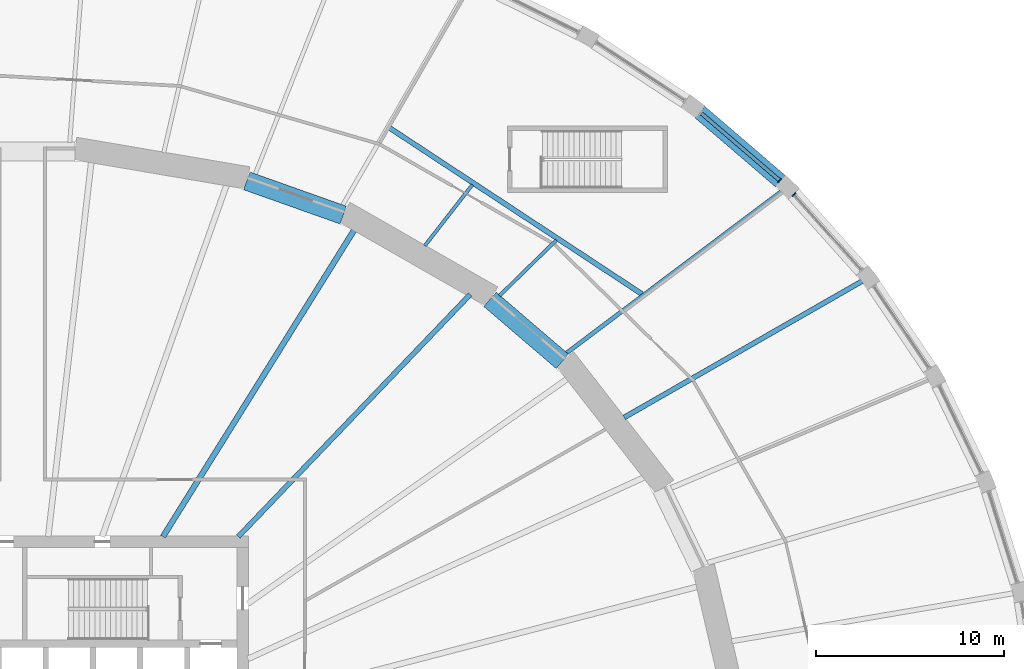
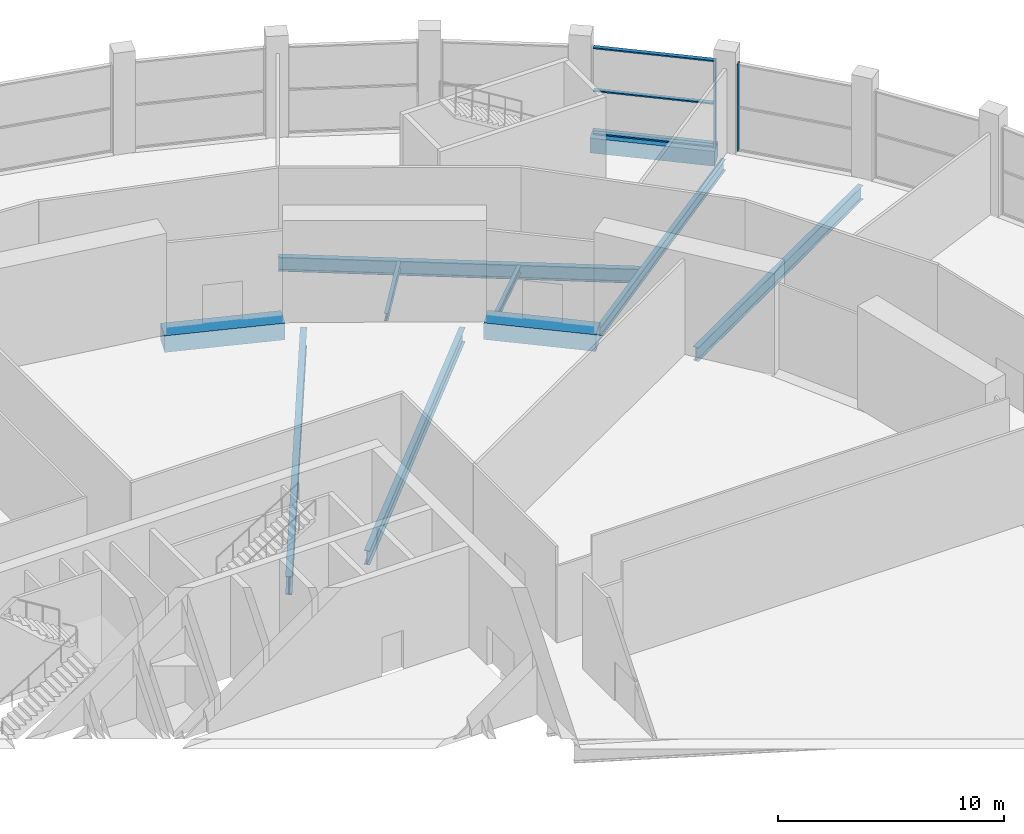
# One storey, part 15 of 29: 10 beams, 5 members, 2 elements without a shape of their own.
"""IFC4 building model written with IfcOpenShell, lengths in metres."""

from ifc_helpers import new_model, si_unit, direction, frame, origin, origin_2d, place, context, subcontext, project, spatial, rectangle, i_section, extrude, material, material_profile, profile_set, type_object, element, aggregate, save


model = new_model("IFC4")

# Units and contexts
model_context = context("Model", 3, precision=1e-05, world=origin(), true_north=direction((0.0, 1.0)))
body_context = subcontext(model_context, "Body", "Model", "MODEL_VIEW")
ifc_project = project(units=[si_unit("LENGTHUNIT", "METRE"), si_unit("AREAUNIT", "SQUARE_METRE"), si_unit("VOLUMEUNIT", "CUBIC_METRE"), si_unit("PLANEANGLEUNIT", "RADIAN"), si_unit("MASSUNIT", "GRAM", prefix="KILO")], contexts=[model_context])

# Site, building, storey
site_placement = place(None, origin())
site = spatial("IfcSite", under=ifc_project, at=site_placement, CompositionType="ELEMENT")
building_placement = place(site_placement, origin())
building = spatial("IfcBuilding", under=site, at=building_placement, Name="Halqa Exchange Tower", CompositionType="ELEMENT")
storey_placement = place(building_placement, frame((0.0, 0.0, 12.5)))
storey = spatial("IfcBuildingStorey", under=building, at=storey_placement, Name="L02", CompositionType="ELEMENT", Elevation=12.5)

# Curtain wall, member
ifc_material_1 = material(Name="Anodised aluminium and clear glass", Category="aluminium")
curtain_wall_type = type_object("IfcCurtainWallType", Name="Exchange hall glazing", PredefinedType="NOTDEFINED", material=ifc_material_1)
curtain_wall_1_placement = place(storey_placement, origin())
curtain_wall_1 = element("IfcCurtainWall", 1, at=curtain_wall_1_placement, inside=storey, type_object=curtain_wall_type, Name="Exchange hall glazing run P5", PredefinedType="NOTDEFINED")
ifc_material_2 = material(Name="Anodised aluminium", Category="aluminium")
ifc_material_profile_1 = material_profile(ifc_material_2, rectangle(XDim=0.25, YDim=0.070068359375, at=origin_2d()), Name="AL 70x250")
ifc_profile_set_1 = profile_set([ifc_material_profile_1], Name="Anodised aluminium")
member_type_1 = type_object("IfcMemberType", Name="Exchange hall glazing mullion 70 x 250", PredefinedType="MULLION", material=ifc_profile_set_1)
member_1_placement = place(storey_placement, frame((40.9560546875, 30.12890625, 0.0), z_axis=(0.0, 0.0, 1.0), x_axis=(-0.74514769466, -0.666899477539, 0.0)))
member_1 = element("IfcMember", 2, at=member_1_placement, type_object=member_type_1, Name="P5 mullion 2", PredefinedType="MULLION", context=body_context, shape_type="SweptSolid", body=[
    extrude(rectangle(XDim=0.25, YDim=0.070068359375, at=origin_2d()), origin(), (0.0, 0.0, 1.0), 4.699951171875),
])
aggregate(curtain_wall_1, [member_1])

# Curtain wall, members
curtain_wall_2_placement = place(storey_placement, origin())
curtain_wall_2 = element("IfcCurtainWall", 3, at=curtain_wall_2_placement, inside=storey, type_object=curtain_wall_type, Name="Exchange hall glazing run P6", PredefinedType="NOTDEFINED")
member_2_placement = place(storey_placement, frame((40.193115234375, 30.8759765625, 0.0), z_axis=(0.0, 0.0, 1.0), x_axis=(-0.650910929175, -0.759154109704, 0.0)))
member_2 = element("IfcMember", 4, at=member_2_placement, type_object=member_type_1, Name="P6 mullion 1", PredefinedType="MULLION", context=body_context, shape_type="SweptSolid", body=[
    extrude(rectangle(XDim=0.25, YDim=0.070068359375, at=origin_2d()), origin(), (0.0, 0.0, 1.0), 4.699951171875),
])
ifc_material_profile_2 = material_profile(ifc_material_2, rectangle(XDim=0.199951171875, YDim=0.070068359375, at=origin_2d()), Name="AL 70x200")
ifc_profile_set_2 = profile_set([ifc_material_profile_2], Name="Anodised aluminium")
member_type_2 = type_object("IfcMemberType", Name="Exchange hall glazing transom 70 x 200", PredefinedType="USERDEFINED", material=ifc_profile_set_2)
member_3_placement = place(storey_placement, frame((40.16650390625, 30.898681640625, 0.034912109375), z_axis=(-0.759142529619, 0.650924434727, 0.0), x_axis=(-0.650924434727, -0.759142529619, 0.0)))
member_3 = element("IfcMember", 5, at=member_3_placement, type_object=member_type_2, Name="P6 transom 1.1", ObjectType="TRANSOM", PredefinedType="USERDEFINED", context=body_context, shape_type="SweptSolid", body=[
    extrude(rectangle(XDim=0.199951171875, YDim=0.070068359375, at=origin_2d()), origin(), (0.0, 0.0, 1.0), 5.439208984375),
])
member_4_placement = place(storey_placement, frame((40.16650390625, 30.898681640625, 2.35009765625), z_axis=(-0.759142529619, 0.650924434727, 0.0), x_axis=(-0.650924434727, -0.759142529619, 0.0)))
member_4 = element("IfcMember", 6, at=member_4_placement, type_object=member_type_2, Name="P6 transom 1.2", ObjectType="TRANSOM", PredefinedType="USERDEFINED", context=body_context, shape_type="SweptSolid", body=[
    extrude(rectangle(XDim=0.199951171875, YDim=0.070068359375, at=origin_2d()), origin(), (0.0, 0.0, 1.0), 5.439208984375),
])
member_5_placement = place(storey_placement, frame((40.16650390625, 30.898681640625, 4.6650390625), z_axis=(-0.759142529619, 0.650924434727, 0.0), x_axis=(-0.650924434727, -0.759142529619, 0.0)))
member_5 = element("IfcMember", 7, at=member_5_placement, type_object=member_type_2, Name="P6 transom 1.3", ObjectType="TRANSOM", PredefinedType="USERDEFINED", context=body_context, shape_type="SweptSolid", body=[
    extrude(rectangle(XDim=0.199951171875, YDim=0.070068359375, at=origin_2d()), origin(), (0.0, 0.0, 1.0), 5.439208984375),
])
aggregate(curtain_wall_2, [member_2, member_3, member_4, member_5])

# Beams
ifc_material_3 = material(Name="Steel S355", Category="steel")
ifc_material_profile_3 = material_profile(ifc_material_3, i_section(OverallWidth=0.300048828125, OverallDepth=0.989990234375, WebThickness=0.0166015625, FlangeThickness=0.031005859375, FilletRadius=0.030029296875, at=origin_2d()), Name="HEA 1000")
ifc_profile_set_3 = profile_set([ifc_material_profile_3], Name="Steel S355")
beam_type_1 = type_object("IfcBeamType", Name="Floor beam HEA 1000", PredefinedType="BEAM", material=ifc_profile_set_3)
beam_1_placement = place(storey_placement, frame((7.46533203125, 11.971435546875, -0.844970703125), z_axis=(0.529145823441, 0.848530905468, 0.0), x_axis=(-0.848530905468, 0.529145823441, 0.0)))
element("IfcBeam", 8, at=beam_1_placement, inside=storey, type_object=beam_type_1, Name="Radial beam 6", PredefinedType="BEAM", context=body_context, shape_type="SweptSolid", body=[
    extrude(i_section(OverallWidth=0.300048828125, OverallDepth=0.989990234375, WebThickness=0.0166015625, FlangeThickness=0.031005859375, FilletRadius=0.030029296875, at=origin_2d()), origin(), (0.0, 0.0, 1.0), 19.27294921875),
])
ifc_material_profile_4 = material_profile(ifc_material_3, i_section(OverallWidth=0.179931640625, OverallDepth=0.39990234375, WebThickness=0.008544921875, FlangeThickness=0.013427734375, FilletRadius=0.02099609375, at=origin_2d()), Name="IPE 400")
ifc_profile_set_4 = profile_set([ifc_material_profile_4], Name="Steel S355")
beam_type_2 = type_object("IfcBeamType", Name="Floor beam IPE 400", PredefinedType="BEAM", material=ifc_profile_set_4)
beam_2_placement = place(storey_placement, frame((25.322265625, 24.757080078125, -0.550048828125), z_axis=(0.715007310884, 0.699116975464, 0.0), x_axis=(-0.699116975464, 0.715007310884, 0.0)))
element("IfcBeam", 9, at=beam_2_placement, inside=storey, type_object=beam_type_2, Name="Radial beam 7a", PredefinedType="BEAM", context=body_context, shape_type="SweptSolid", body=[
    extrude(i_section(OverallWidth=0.179931640625, OverallDepth=0.39990234375, WebThickness=0.008544921875, FlangeThickness=0.013427734375, FilletRadius=0.02099609375, at=origin_2d()), origin(), (0.0, 0.0, 1.0), 4.22509765625),
])
beam_3_placement = place(storey_placement, frame((21.3603515625, 27.40966796875, -0.550048828125), z_axis=(0.614706293657, 0.788756091919, 0.0), x_axis=(-0.788756091919, 0.614706293657, 0.0)))
element("IfcBeam", 10, at=beam_3_placement, inside=storey, type_object=beam_type_2, Name="Radial beam 8a", PredefinedType="BEAM", context=body_context, shape_type="SweptSolid", body=[
    extrude(i_section(OverallWidth=0.179931640625, OverallDepth=0.39990234375, WebThickness=0.008544921875, FlangeThickness=0.013427734375, FilletRadius=0.02099609375, at=origin_2d()), origin(), (0.0, 0.0, 1.0), 4.104248046875),
])
ifc_material_profile_5 = material_profile(ifc_material_3, i_section(OverallWidth=0.219970703125, OverallDepth=0.60009765625, WebThickness=0.011962890625, FlangeThickness=0.01904296875, FilletRadius=0.02392578125, at=origin_2d()), Name="IPE 600")
ifc_profile_set_5 = profile_set([ifc_material_profile_5], Name="Steel S355")
beam_type_3 = type_object("IfcBeamType", Name="Floor beam IPE 600", PredefinedType="BEAM", material=ifc_profile_set_5)
beam_4_placement = place(storey_placement, frame((28.875732421875, 21.71240234375, -0.64990234375), z_axis=(0.799257291391, 0.600989003359, 0.0), x_axis=(-0.600989003359, 0.799257291391, 0.0)))
element("IfcBeam", 11, at=beam_4_placement, inside=storey, type_object=beam_type_3, Name="Radial beam 6", PredefinedType="BEAM", context=body_context, shape_type="SweptSolid", body=[
    extrude(i_section(OverallWidth=0.219970703125, OverallDepth=0.60009765625, WebThickness=0.011962890625, FlangeThickness=0.01904296875, FilletRadius=0.02392578125, at=origin_2d()), origin(), (0.0, 0.0, 1.0), 14.291259765625),
])
ifc_material_profile_6 = material_profile(ifc_material_3, i_section(OverallWidth=0.264892578125, OverallDepth=0.7529296875, WebThickness=0.01318359375, FlangeThickness=0.01708984375, FilletRadius=0.01708984375, at=origin_2d()), Name="IPE 750x147")
ifc_profile_set_6 = profile_set([ifc_material_profile_6], Name="Steel S355")
beam_type_4 = type_object("IfcBeamType", Name="Floor beam IPE 750x147", PredefinedType="BEAM", material=ifc_profile_set_6)
beam_5_placement = place(storey_placement, frame((31.942626953125, 18.300048828125, -0.7265625), z_axis=(0.867691436398, 0.497103179633, 0.0), x_axis=(-0.497103179633, 0.867691436398, 0.0)))
element("IfcBeam", 12, at=beam_5_placement, inside=storey, type_object=beam_type_4, Name="Radial beam 5", PredefinedType="BEAM", context=body_context, shape_type="SweptSolid", body=[
    extrude(i_section(OverallWidth=0.264892578125, OverallDepth=0.7529296875, WebThickness=0.01318359375, FlangeThickness=0.01708984375, FilletRadius=0.01708984375, at=origin_2d()), origin(), (0.0, 0.0, 1.0), 14.555908203125),
])
ifc_material_profile_7 = material_profile(ifc_material_3, i_section(OverallWidth=0.26806640625, OverallDepth=0.77001953125, WebThickness=0.015625, FlangeThickness=0.025390625, FilletRadius=0.01708984375, at=origin_2d()), Name="IPE 750x196")
ifc_profile_set_7 = profile_set([ifc_material_profile_7], Name="Steel S355")
beam_type_5 = type_object("IfcBeamType", Name="Floor beam IPE 750x196", PredefinedType="BEAM", material=ifc_profile_set_7)
beam_6_placement = place(storey_placement, frame((11.46240234375, 11.9716796875, -0.735107421875), z_axis=(0.6915763718, 0.722303344841, 0.0), x_axis=(-0.722303344841, 0.6915763718, 0.0)))
element("IfcBeam", 13, at=beam_6_placement, inside=storey, type_object=beam_type_5, Name="Radial beam 5", PredefinedType="BEAM", context=body_context, shape_type="SweptSolid", body=[
    extrude(i_section(OverallWidth=0.26806640625, OverallDepth=0.77001953125, WebThickness=0.015625, FlangeThickness=0.025390625, FilletRadius=0.01708984375, at=origin_2d()), origin(), (0.0, 0.0, 1.0), 17.7978515625),
])
beam_7_placement = place(storey_placement, frame((32.896728515625, 24.839599609375, -0.735107421875), z_axis=(-0.835204203593, 0.54993994063, 0.0), x_axis=(-0.54993994063, -0.835204203593, 0.0)))
element("IfcBeam", 14, at=beam_7_placement, inside=storey, type_object=beam_type_5, Name="Radial beam TPS1-in", PredefinedType="BEAM", context=body_context, shape_type="SweptSolid", body=[
    extrude(i_section(OverallWidth=0.26806640625, OverallDepth=0.77001953125, WebThickness=0.015625, FlangeThickness=0.025390625, FilletRadius=0.01708984375, at=origin_2d()), origin(), (0.0, 0.0, 1.0), 16.07958984375),
])
ifc_material_4 = material(Name="Concrete C60/75", Category="concrete")
ifc_material_profile_8 = material_profile(ifc_material_4, rectangle(XDim=0.800048828125, YDim=0.800048828125, at=origin_2d()), Name="800 x 800")
ifc_profile_set_8 = profile_set([ifc_material_profile_8], Name="Concrete C60/75")
beam_type_6 = type_object("IfcBeamType", Name="RC podium edge beam 800 x 800 C60/75", PredefinedType="SPANDREL", material=ifc_profile_set_8)
beam_8_placement = place(storey_placement, frame((40.240478515625, 30.83544921875, -0.39990234375), z_axis=(-0.759174010844, 0.650887717859, 0.0), x_axis=(-0.650887717859, -0.759174010844, 0.0)))
element("IfcBeam", 15, at=beam_8_placement, inside=storey, type_object=beam_type_6, Name="Podium edge beam 6", PredefinedType="SPANDREL", context=body_context, shape_type="SweptSolid", body=[
    extrude(rectangle(XDim=0.800048828125, YDim=0.800048828125, at=origin_2d()), origin(), (0.0, 0.0, 1.0), 5.63427734375),
])
ifc_material_profile_9 = material_profile(ifc_material_4, rectangle(XDim=1.0, YDim=0.89990234375, at=origin_2d()), Name="1000 x 900")
ifc_profile_set_9 = profile_set([ifc_material_profile_9], Name="Concrete C60/75")
beam_type_7 = type_object("IfcBeamType", Name="RC spandrel beam 1000 x 900 C60/75", PredefinedType="SPANDREL", material=ifc_profile_set_9)
beam_9_placement = place(storey_placement, frame((28.659423828125, 21.27587890625, -0.449951171875), z_axis=(-0.759263417999, 0.650783421799, 0.0), x_axis=(-0.650783421799, -0.759263417999, 0.0)))
element("IfcBeam", 16, at=beam_9_placement, inside=storey, type_object=beam_type_7, Name="Spandrel 4", PredefinedType="SPANDREL", context=body_context, shape_type="SweptSolid", body=[
    extrude(rectangle(XDim=1.0, YDim=0.89990234375, at=origin_2d()), origin(), (0.0, 0.0, 1.0), 5.056884765625),
])
beam_10_placement = place(storey_placement, frame((17.030029296875, 29.038818359375, -0.449951171875), z_axis=(-0.942357788657, 0.334606930826, 0.0), x_axis=(-0.334606930826, -0.942357788657, 0.0)))
element("IfcBeam", 17, at=beam_10_placement, inside=storey, type_object=beam_type_7, Name="Spandrel 6", PredefinedType="SPANDREL", context=body_context, shape_type="SweptSolid", body=[
    extrude(rectangle(XDim=1.0, YDim=0.89990234375, at=origin_2d()), origin(), (0.0, 0.0, 1.0), 5.429931640625),
])

save(model, "model.ifc")
